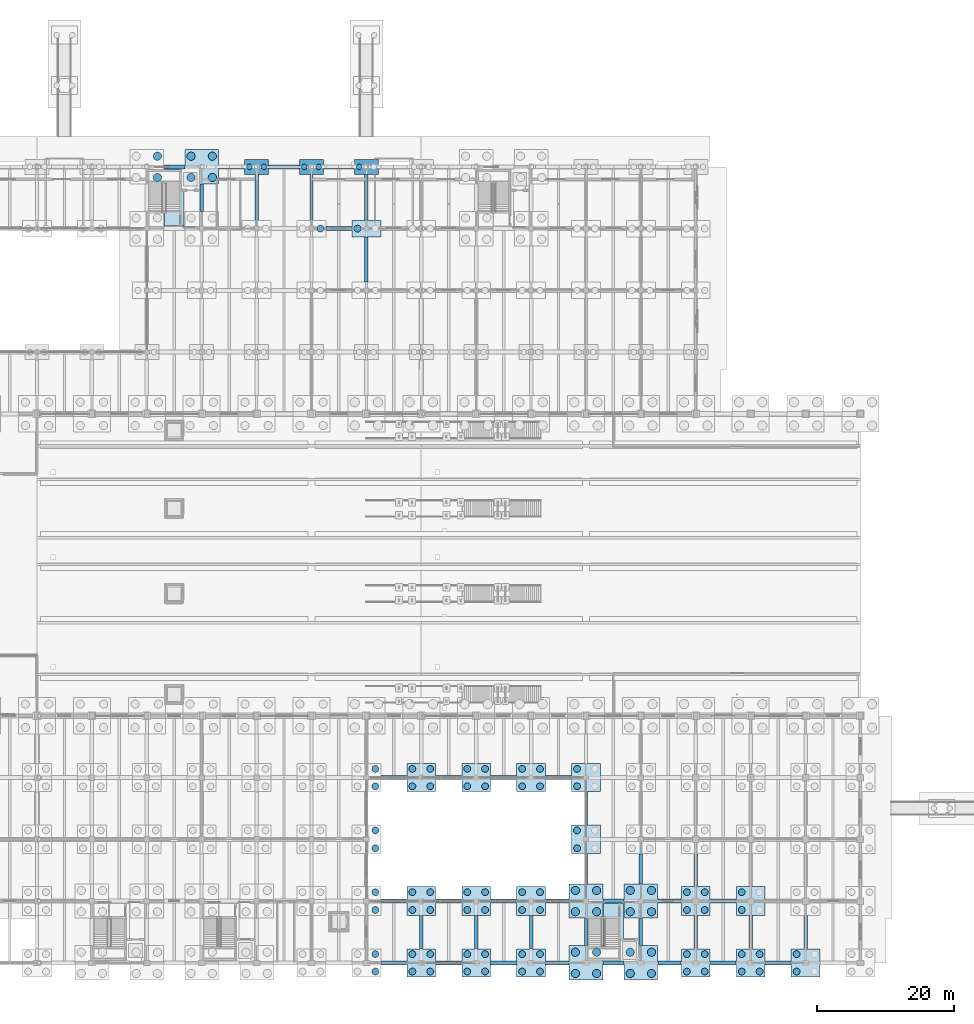
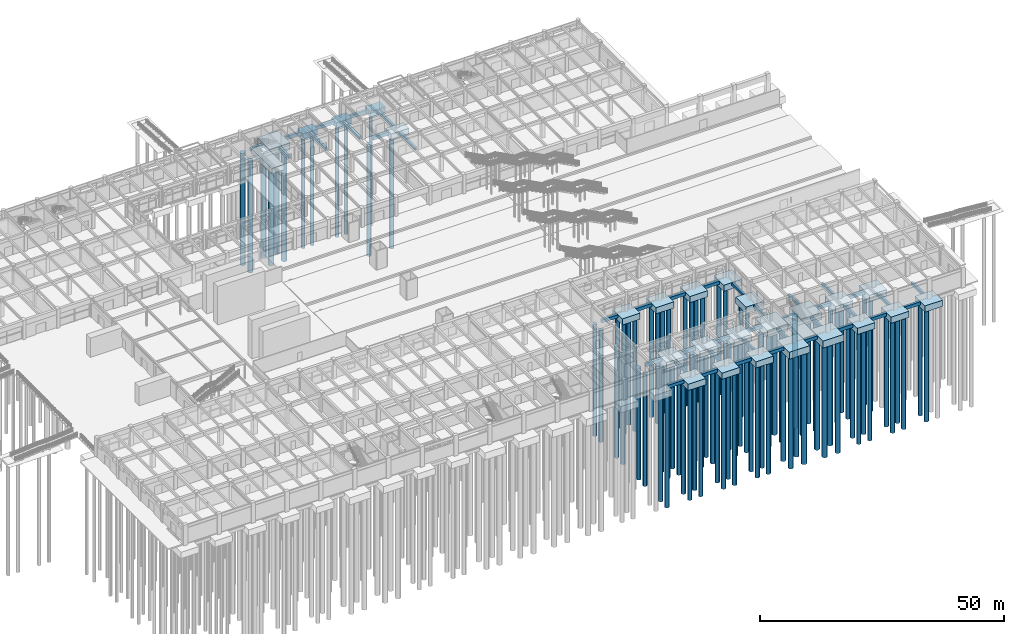
# One storey, part 7 of 147: 93 piles, 68 footings.
"""IFC4 building model written with IfcOpenShell, lengths in metres."""

from ifc_helpers import new_model, si_unit, direction, frame, origin, origin_2d, place, context, subcontext, project, spatial, rectangle, circle, extrude, material, layer, layer_set, material_profile, profile_set, type_object, element, save


model = new_model("IFC4")

# Units and contexts
model_context = context("Model", 3, precision=1e-05, world=origin(), true_north=direction((0.0, 1.0)))
body_context = subcontext(model_context, "Body", "Model", "MODEL_VIEW")
ifc_project = project(units=[si_unit("LENGTHUNIT", "METRE"), si_unit("AREAUNIT", "SQUARE_METRE"), si_unit("VOLUMEUNIT", "CUBIC_METRE"), si_unit("PLANEANGLEUNIT", "RADIAN"), si_unit("MASSUNIT", "GRAM", prefix="KILO")], contexts=[model_context])

# Site, building, storey
site_placement = place(None, origin())
site = spatial("IfcSite", under=ifc_project, at=site_placement, CompositionType="ELEMENT")
building_placement = place(site_placement, origin())
building = spatial("IfcBuilding", under=site, at=building_placement, Name="Varnabhumi Central Station", CompositionType="ELEMENT")
storey_placement = place(building_placement, origin())
storey = spatial("IfcBuildingStorey", under=building, at=storey_placement, Name="L00", CompositionType="ELEMENT", Elevation=0.0)

# Footings
ifc_material_1 = material(Name="Concrete M40", Category="concrete")
ifc_layer_1 = layer(ifc_material_1, 1.75, Name="Concrete M40", Category="concrete")
ifc_layer_set_1 = layer_set([ifc_layer_1], Name="Concrete M40")
footing_type_1 = type_object("IfcFootingType", Name="CAP-CORE-6S", PredefinedType="PILE_CAP", material=ifc_layer_set_1)
for number, where, z_axis, x_axis, name in (
    (1, (88.0, 116.0, -2.050048828125), (0.0, 0.0, 1.0), (1.0, 0.0, 0.0), "Pile Cap 12-P"),
    (2, (144.0, 0.0, -2.050048828125), (0.0, 0.0, 1.0), (1.0, 0.0, 0.0), "Pile Cap 19-A"),
    (3, (144.0, 9.0, -2.050048828125), (0.0, 0.0, 1.0), (1.0, 0.0, 0.0), "Pile Cap 19-B"),
    (4, (152.0, 0.0, -2.050048828125), (0.0, 0.0, 1.0), (1.0, 0.0, 0.0), "Pile Cap 20-A"),
    (5, (152.0, 9.0, -2.050048828125), (0.0, 0.0, 1.0), (1.0, 0.0, 0.0), "Pile Cap 20-B"),
):
    element("IfcFooting", number, at=place(storey_placement, frame(where, z_axis=z_axis, x_axis=x_axis)), inside=storey, type_object=footing_type_1, Name=name, PredefinedType="PILE_CAP", context=body_context, shape_type="SweptSolid", body=[
        extrude(rectangle(XDim=4.89990234375, YDim=5.0, at=origin_2d()), origin(), (0.0, 0.0, 1.0), 1.75),
    ])
ifc_layer_2 = layer(ifc_material_1, 1.5, Name="Concrete M40", Category="concrete")
ifc_layer_set_2 = layer_set([ifc_layer_2], Name="Concrete M40")
footing_type_2 = type_object("IfcFootingType", Name="CAP-NORTH-INT", PredefinedType="PILE_CAP", material=ifc_layer_set_2)
footing_1_placement = place(storey_placement, frame((112.0, 107.0, -1.800048828125), z_axis=(0.0, 0.0, 1.0), x_axis=(1.0, 0.0, 0.0)))
element("IfcFooting", 6, at=footing_1_placement, inside=storey, type_object=footing_type_2, Name="Pile Cap 15-N", PredefinedType="PILE_CAP", context=body_context, shape_type="SweptSolid", body=[
    extrude(rectangle(XDim=4.199951171875, YDim=2.39990234375, at=origin_2d()), origin(), (0.0, 0.0, 1.0), 1.5),
])
ifc_layer_3 = layer(ifc_material_1, 1.449951171875, Name="Concrete M40", Category="concrete")
ifc_layer_set_3 = layer_set([ifc_layer_3], Name="Concrete M40")
footing_type_3 = type_object("IfcFootingType", Name="CAP-NORTH-PER", PredefinedType="PILE_CAP", material=ifc_layer_set_3)
for number, where, z_axis, x_axis, name in (
    (7, (96.0, 116.0, -1.75), (0.0, 0.0, 1.0), (1.0, 0.0, 0.0), "Pile Cap 13-P"),
    (8, (104.0, 116.0, -1.75), (0.0, 0.0, 1.0), (1.0, 0.0, 0.0), "Pile Cap 14-P"),
    (9, (112.0, 116.0, -1.75), (0.0, 0.0, 1.0), (1.0, 0.0, 0.0), "Pile Cap 15-P"),
):
    element("IfcFooting", number, at=place(storey_placement, frame(where, z_axis=z_axis, x_axis=x_axis)), inside=storey, type_object=footing_type_3, Name=name, PredefinedType="PILE_CAP", context=body_context, shape_type="SweptSolid", body=[
        extrude(rectangle(XDim=3.5, YDim=2.199951171875, at=origin_2d()), origin(), (0.0, 0.0, 1.0), 1.449951171875),
    ])
ifc_layer_4 = layer(ifc_material_1, 1.60009765625, Name="Concrete M40", Category="concrete")
ifc_layer_set_4 = layer_set([ifc_layer_4], Name="Concrete M40")
footing_type_4 = type_object("IfcFootingType", Name="CAP-SOUTH-INT", PredefinedType="PILE_CAP", material=ifc_layer_set_4)
for number, where, z_axis, x_axis, name in (
    (10, (120.0, 9.0, -1.900146484375), (0.0, 0.0, 1.0), (1.0, 0.0, 0.0), "Pile Cap 16-B"),
    (11, (128.0, 9.0, -1.900146484375), (0.0, 0.0, 1.0), (1.0, 0.0, 0.0), "Pile Cap 17-B"),
    (12, (136.0, 9.0, -1.900146484375), (0.0, 0.0, 1.0), (1.0, 0.0, 0.0), "Pile Cap 18-B"),
    (13, (144.0, 18.0, -1.900146484375), (0.0, 0.0, 1.0), (1.0, 0.0, 0.0), "Pile Cap 19-C"),
    (14, (160.0, 9.0, -1.900146484375), (0.0, 0.0, 1.0), (1.0, 0.0, 0.0), "Pile Cap 21-B"),
    (15, (168.0, 9.0, -1.900146484375), (0.0, 0.0, 1.0), (1.0, 0.0, 0.0), "Pile Cap 22-B"),
):
    element("IfcFooting", number, at=place(storey_placement, frame(where, z_axis=z_axis, x_axis=x_axis)), inside=storey, type_object=footing_type_4, Name=name, PredefinedType="PILE_CAP", context=body_context, shape_type="SweptSolid", body=[
        extrude(rectangle(XDim=4.199951171875, YDim=4.199951171875, at=origin_2d()), origin(), (0.0, 0.0, 1.0), 1.60009765625),
    ])
ifc_layer_5 = layer(ifc_material_1, 1.550048828125, Name="Concrete M40", Category="concrete")
ifc_layer_set_5 = layer_set([ifc_layer_5], Name="Concrete M40")
footing_type_5 = type_object("IfcFootingType", Name="CAP-SOUTH-PER", PredefinedType="PILE_CAP", material=ifc_layer_set_5)
for number, where, z_axis, x_axis, name in (
    (16, (120.0, 0.0, -1.85009765625), (0.0, 0.0, 1.0), (1.0, 0.0, 0.0), "Pile Cap 16-A"),
    (17, (120.0, 27.0, -1.85009765625), (0.0, 0.0, 1.0), (1.0, 0.0, 0.0), "Pile Cap 16-D"),
    (18, (128.0, 0.0, -1.85009765625), (0.0, 0.0, 1.0), (1.0, 0.0, 0.0), "Pile Cap 17-A"),
    (19, (128.0, 27.0, -1.85009765625), (0.0, 0.0, 1.0), (1.0, 0.0, 0.0), "Pile Cap 17-D"),
    (20, (136.0, 0.0, -1.85009765625), (0.0, 0.0, 1.0), (1.0, 0.0, 0.0), "Pile Cap 18-A"),
    (21, (136.0, 27.0, -1.85009765625), (0.0, 0.0, 1.0), (1.0, 0.0, 0.0), "Pile Cap 18-D"),
    (22, (144.0, 27.0, -1.85009765625), (0.0, 0.0, 1.0), (1.0, 0.0, 0.0), "Pile Cap 19-D"),
    (23, (160.0, 0.0, -1.85009765625), (0.0, 0.0, 1.0), (1.0, 0.0, 0.0), "Pile Cap 21-A"),
    (24, (168.0, 0.0, -1.85009765625), (0.0, 0.0, 1.0), (1.0, 0.0, 0.0), "Pile Cap 22-A"),
    (25, (176.0, 0.0, -1.85009765625), (0.0, 0.0, 1.0), (1.0, 0.0, 0.0), "Pile Cap 23-A"),
):
    element("IfcFooting", number, at=place(storey_placement, frame(where, z_axis=z_axis, x_axis=x_axis)), inside=storey, type_object=footing_type_5, Name=name, PredefinedType="PILE_CAP", context=body_context, shape_type="SweptSolid", body=[
        extrude(rectangle(XDim=4.199951171875, YDim=4.10009765625, at=origin_2d()), origin(), (0.0, 0.0, 1.0), 1.550048828125),
    ])
footing_type_6 = type_object("IfcFootingType", Name="FTG-STRIP-PLAT", PredefinedType="STRIP_FOOTING", material=ifc_material_1)
for number, where, z_axis, x_axis, name in (
    (26, (84.0, 111.5, -1.60009765625), (0.0, 0.0, 1.0), (1.0, 0.0, 0.0), "Core Foundation Mat NC2"),
    (27, (148.0, 4.5, -1.60009765625), (0.0, 0.0, 1.0), (1.0, 0.0, 0.0), "Core Foundation Mat SC3"),
):
    element("IfcFooting", number, at=place(storey_placement, frame(where, z_axis=z_axis, x_axis=x_axis)), inside=storey, type_object=footing_type_6, Name=name, PredefinedType="STRIP_FOOTING", context=body_context, shape_type="SweptSolid", body=[
        extrude(rectangle(XDim=2.89990234375, YDim=8.300048828125, at=origin_2d()), origin(), (0.0, 0.0, 1.0), 1.300048828125),
    ])
footing_type_7 = type_object("IfcFootingType", Name="FTG-TIE-500x700", PredefinedType="FOOTING_BEAM", material=ifc_material_1)
footing_2_placement = place(storey_placement, frame((88.0, 111.5, -1.0), z_axis=(0.0, 0.0, 1.0), x_axis=(1.0, 0.0, 0.0)))
element("IfcFooting", 28, at=footing_2_placement, inside=storey, type_object=footing_type_7, Name="Plinth Tie Beam 12:N-P", PredefinedType="FOOTING_BEAM", context=body_context, shape_type="SweptSolid", body=[
    extrude(rectangle(XDim=0.5, YDim=3.9599609375, at=origin_2d()), origin(), (0.0, 0.0, 1.0), 0.699951171875),
])
for number, where, z_axis, x_axis, name in (
    (29, (96.0, 111.550048828125, -1.0), (0.0, 0.0, 1.0), (1.0, 0.0, 0.0), "Plinth Tie Beam 13:N-P"),
    (30, (104.0, 111.550048828125, -1.0), (0.0, 0.0, 1.0), (1.0, 0.0, 0.0), "Plinth Tie Beam 14:N-P"),
):
    element("IfcFooting", number, at=place(storey_placement, frame(where, z_axis=z_axis, x_axis=x_axis)), inside=storey, type_object=footing_type_7, Name=name, PredefinedType="FOOTING_BEAM", context=body_context, shape_type="SweptSolid", body=[
        extrude(rectangle(XDim=0.5, YDim=6.659912109375, at=origin_2d()), origin(), (0.0, 0.0, 1.0), 0.699951171875),
    ])
footing_3_placement = place(storey_placement, frame((112.0, 102.5, -1.0), z_axis=(0.0, 0.0, 1.0), x_axis=(1.0, 0.0, 0.0)))
element("IfcFooting", 31, at=footing_3_placement, inside=storey, type_object=footing_type_7, Name="Plinth Tie Beam 15:M-N", PredefinedType="FOOTING_BEAM", context=body_context, shape_type="SweptSolid", body=[
    extrude(rectangle(XDim=0.5, YDim=6.56005859375, at=origin_2d()), origin(), (0.0, 0.0, 1.0), 0.699951171875),
])
footing_4_placement = place(storey_placement, frame((112.0, 111.550048828125, -1.0), z_axis=(0.0, 0.0, 1.0), x_axis=(1.0, 0.0, 0.0)))
element("IfcFooting", 32, at=footing_4_placement, inside=storey, type_object=footing_type_7, Name="Plinth Tie Beam 15:N-P", PredefinedType="FOOTING_BEAM", context=body_context, shape_type="SweptSolid", body=[
    extrude(rectangle(XDim=0.5, YDim=6.659912109375, at=origin_2d()), origin(), (0.0, 0.0, 1.0), 0.699951171875),
])
for number, where, z_axis, x_axis, name in (
    (33, (120.0, 4.47509765625, -1.0), (0.0, 0.0, 1.0), (1.0, 0.0, 0.0), "Plinth Tie Beam 16:A-B"),
    (34, (128.0, 4.47509765625, -1.0), (0.0, 0.0, 1.0), (1.0, 0.0, 0.0), "Plinth Tie Beam 17:A-B"),
    (35, (136.0, 4.47509765625, -1.0), (0.0, 0.0, 1.0), (1.0, 0.0, 0.0), "Plinth Tie Beam 18:A-B"),
):
    element("IfcFooting", number, at=place(storey_placement, frame(where, z_axis=z_axis, x_axis=x_axis)), inside=storey, type_object=footing_type_7, Name=name, PredefinedType="FOOTING_BEAM", context=body_context, shape_type="SweptSolid", body=[
        extrude(rectangle(XDim=0.5, YDim=4.81005859375, at=origin_2d()), origin(), (0.0, 0.0, 1.0), 0.699951171875),
    ])
footing_5_placement = place(storey_placement, frame((144.0, 4.5, -1.0), z_axis=(0.0, 0.0, 1.0), x_axis=(1.0, 0.0, 0.0)))
element("IfcFooting", 36, at=footing_5_placement, inside=storey, type_object=footing_type_7, Name="Plinth Tie Beam 19:A-B", PredefinedType="FOOTING_BEAM", context=body_context, shape_type="SweptSolid", body=[
    extrude(rectangle(XDim=0.5, YDim=3.9599609375, at=origin_2d()), origin(), (0.0, 0.0, 1.0), 0.699951171875),
])
footing_6_placement = place(storey_placement, frame((144.0, 13.699951171875, -1.0), z_axis=(0.0, 0.0, 1.0), x_axis=(1.0, 0.0, 0.0)))
element("IfcFooting", 37, at=footing_6_placement, inside=storey, type_object=footing_type_7, Name="Plinth Tie Beam 19:B-C", PredefinedType="FOOTING_BEAM", context=body_context, shape_type="SweptSolid", body=[
    extrude(rectangle(XDim=0.5, YDim=4.360107421875, at=origin_2d()), origin(), (0.0, 0.0, 1.0), 0.699951171875),
])
footing_7_placement = place(storey_placement, frame((144.0, 22.52490234375, -1.0), z_axis=(0.0, 0.0, 1.0), x_axis=(1.0, 0.0, 0.0)))
element("IfcFooting", 38, at=footing_7_placement, inside=storey, type_object=footing_type_7, Name="Plinth Tie Beam 19:C-D", PredefinedType="FOOTING_BEAM", context=body_context, shape_type="SweptSolid", body=[
    extrude(rectangle(XDim=0.5, YDim=4.81005859375, at=origin_2d()), origin(), (0.0, 0.0, 1.0), 0.699951171875),
])
footing_8_placement = place(storey_placement, frame((152.0, 4.5, -1.0), z_axis=(0.0, 0.0, 1.0), x_axis=(1.0, 0.0, 0.0)))
element("IfcFooting", 39, at=footing_8_placement, inside=storey, type_object=footing_type_7, Name="Plinth Tie Beam 20:A-B", PredefinedType="FOOTING_BEAM", context=body_context, shape_type="SweptSolid", body=[
    extrude(rectangle(XDim=0.5, YDim=3.9599609375, at=origin_2d()), origin(), (0.0, 0.0, 1.0), 0.699951171875),
])
footing_9_placement = place(storey_placement, frame((152.0, 13.699951171875, -1.0), z_axis=(0.0, 0.0, 1.0), x_axis=(1.0, 0.0, 0.0)))
element("IfcFooting", 40, at=footing_9_placement, inside=storey, type_object=footing_type_7, Name="Plinth Tie Beam 20:B-C", PredefinedType="FOOTING_BEAM", context=body_context, shape_type="SweptSolid", body=[
    extrude(rectangle(XDim=0.5, YDim=4.360107421875, at=origin_2d()), origin(), (0.0, 0.0, 1.0), 0.699951171875),
])
footing_10_placement = place(storey_placement, frame((160.0, 4.47509765625, -1.0), z_axis=(0.0, 0.0, 1.0), x_axis=(1.0, 0.0, 0.0)))
element("IfcFooting", 41, at=footing_10_placement, inside=storey, type_object=footing_type_7, Name="Plinth Tie Beam 21:A-B", PredefinedType="FOOTING_BEAM", context=body_context, shape_type="SweptSolid", body=[
    extrude(rectangle(XDim=0.5, YDim=4.81005859375, at=origin_2d()), origin(), (0.0, 0.0, 1.0), 0.699951171875),
])
footing_11_placement = place(storey_placement, frame((160.0, 13.5, -1.0), z_axis=(0.0, 0.0, 1.0), x_axis=(1.0, 0.0, 0.0)))
element("IfcFooting", 42, at=footing_11_placement, inside=storey, type_object=footing_type_7, Name="Plinth Tie Beam 21:B-C", PredefinedType="FOOTING_BEAM", context=body_context, shape_type="SweptSolid", body=[
    extrude(rectangle(XDim=0.5, YDim=4.760009765625, at=origin_2d()), origin(), (0.0, 0.0, 1.0), 0.699951171875),
])
for number, where, z_axis, x_axis, name in (
    (43, (168.0, 4.47509765625, -1.0), (0.0, 0.0, 1.0), (1.0, 0.0, 0.0), "Plinth Tie Beam 22:A-B"),
    (44, (176.0, 4.47509765625, -1.0), (0.0, 0.0, 1.0), (1.0, 0.0, 0.0), "Plinth Tie Beam 23:A-B"),
):
    element("IfcFooting", number, at=place(storey_placement, frame(where, z_axis=z_axis, x_axis=x_axis)), inside=storey, type_object=footing_type_7, Name=name, PredefinedType="FOOTING_BEAM", context=body_context, shape_type="SweptSolid", body=[
        extrude(rectangle(XDim=0.5, YDim=4.81005859375, at=origin_2d()), origin(), (0.0, 0.0, 1.0), 0.699951171875),
    ])
footing_type_8 = type_object("IfcFootingType", Name="FTG-TIE-600x800", PredefinedType="FOOTING_BEAM", material=ifc_material_1)
footing_12_placement = place(storey_placement, frame((84.0, 116.0, -1.10009765625), z_axis=(0.0, 0.0, 1.0), x_axis=(1.0, 0.0, 0.0)))
element("IfcFooting", 45, at=footing_12_placement, inside=storey, type_object=footing_type_8, Name="Plinth Tie Beam P:11-12", PredefinedType="FOOTING_BEAM", context=body_context, shape_type="SweptSolid", body=[
    extrude(rectangle(XDim=3.06005859375, YDim=0.60009765625, at=origin_2d()), origin(), (0.0, 0.0, 1.0), 0.800048828125),
])
footing_13_placement = place(storey_placement, frame((92.35009765625, 116.0, -1.10009765625), z_axis=(0.0, 0.0, 1.0), x_axis=(1.0, 0.0, 0.0)))
element("IfcFooting", 46, at=footing_13_placement, inside=storey, type_object=footing_type_8, Name="Plinth Tie Beam P:12-13", PredefinedType="FOOTING_BEAM", context=body_context, shape_type="SweptSolid", body=[
    extrude(rectangle(XDim=3.760009765625, YDim=0.60009765625, at=origin_2d()), origin(), (0.0, 0.0, 1.0), 0.800048828125),
])
footing_14_placement = place(storey_placement, frame((100.0, 116.0, -1.10009765625), z_axis=(0.0, 0.0, 1.0), x_axis=(1.0, 0.0, 0.0)))
element("IfcFooting", 47, at=footing_14_placement, inside=storey, type_object=footing_type_8, Name="Plinth Tie Beam P:13-14", PredefinedType="FOOTING_BEAM", context=body_context, shape_type="SweptSolid", body=[
    extrude(rectangle(XDim=4.4599609375, YDim=0.60009765625, at=origin_2d()), origin(), (0.0, 0.0, 1.0), 0.800048828125),
])
footing_15_placement = place(storey_placement, frame((108.0, 107.0, -1.10009765625), z_axis=(0.0, 0.0, 1.0), x_axis=(1.0, 0.0, 0.0)))
element("IfcFooting", 48, at=footing_15_placement, inside=storey, type_object=footing_type_8, Name="Plinth Tie Beam N:14-15", PredefinedType="FOOTING_BEAM", context=body_context, shape_type="SweptSolid", body=[
    extrude(rectangle(XDim=3.760009765625, YDim=0.60009765625, at=origin_2d()), origin(), (0.0, 0.0, 1.0), 0.800048828125),
])
footing_16_placement = place(storey_placement, frame((108.0, 116.0, -1.10009765625), z_axis=(0.0, 0.0, 1.0), x_axis=(1.0, 0.0, 0.0)))
element("IfcFooting", 49, at=footing_16_placement, inside=storey, type_object=footing_type_8, Name="Plinth Tie Beam P:14-15", PredefinedType="FOOTING_BEAM", context=body_context, shape_type="SweptSolid", body=[
    extrude(rectangle(XDim=4.4599609375, YDim=0.60009765625, at=origin_2d()), origin(), (0.0, 0.0, 1.0), 0.800048828125),
])
for number, where, z_axis, x_axis, name in (
    (50, (116.0, 0.0, -1.10009765625), (0.0, 0.0, 1.0), (1.0, 0.0, 0.0), "Plinth Tie Beam A:15-16"),
    (51, (116.0, 9.0, -1.10009765625), (0.0, 0.0, 1.0), (1.0, 0.0, 0.0), "Plinth Tie Beam B:15-16"),
    (52, (116.0, 27.0, -1.10009765625), (0.0, 0.0, 1.0), (1.0, 0.0, 0.0), "Plinth Tie Beam D:15-16"),
    (53, (124.0, 0.0, -1.10009765625), (0.0, 0.0, 1.0), (1.0, 0.0, 0.0), "Plinth Tie Beam A:16-17"),
    (54, (124.0, 9.0, -1.10009765625), (0.0, 0.0, 1.0), (1.0, 0.0, 0.0), "Plinth Tie Beam B:16-17"),
    (55, (124.0, 27.0, -1.10009765625), (0.0, 0.0, 1.0), (1.0, 0.0, 0.0), "Plinth Tie Beam D:16-17"),
    (56, (132.0, 0.0, -1.10009765625), (0.0, 0.0, 1.0), (1.0, 0.0, 0.0), "Plinth Tie Beam A:17-18"),
    (57, (132.0, 9.0, -1.10009765625), (0.0, 0.0, 1.0), (1.0, 0.0, 0.0), "Plinth Tie Beam B:17-18"),
    (58, (132.0, 27.0, -1.10009765625), (0.0, 0.0, 1.0), (1.0, 0.0, 0.0), "Plinth Tie Beam D:17-18"),
):
    element("IfcFooting", number, at=place(storey_placement, frame(where, z_axis=z_axis, x_axis=x_axis)), inside=storey, type_object=footing_type_8, Name=name, PredefinedType="FOOTING_BEAM", context=body_context, shape_type="SweptSolid", body=[
        extrude(rectangle(XDim=3.760009765625, YDim=0.60009765625, at=origin_2d()), origin(), (0.0, 0.0, 1.0), 0.800048828125),
    ])
for number, where, z_axis, x_axis, name in (
    (59, (139.824951171875, 0.0, -1.10009765625), (0.0, 0.0, 1.0), (1.0, 0.0, 0.0), "Plinth Tie Beam A:18-19"),
    (60, (139.824951171875, 9.0, -1.10009765625), (0.0, 0.0, 1.0), (1.0, 0.0, 0.0), "Plinth Tie Beam B:18-19"),
):
    element("IfcFooting", number, at=place(storey_placement, frame(where, z_axis=z_axis, x_axis=x_axis)), inside=storey, type_object=footing_type_8, Name=name, PredefinedType="FOOTING_BEAM", context=body_context, shape_type="SweptSolid", body=[
        extrude(rectangle(XDim=3.409912109375, YDim=0.60009765625, at=origin_2d()), origin(), (0.0, 0.0, 1.0), 0.800048828125),
    ])
footing_17_placement = place(storey_placement, frame((140.0, 27.0, -1.10009765625), z_axis=(0.0, 0.0, 1.0), x_axis=(1.0, 0.0, 0.0)))
element("IfcFooting", 61, at=footing_17_placement, inside=storey, type_object=footing_type_8, Name="Plinth Tie Beam D:18-19", PredefinedType="FOOTING_BEAM", context=body_context, shape_type="SweptSolid", body=[
    extrude(rectangle(XDim=3.760009765625, YDim=0.60009765625, at=origin_2d()), origin(), (0.0, 0.0, 1.0), 0.800048828125),
])
for number, where, z_axis, x_axis, name in (
    (62, (148.0, 0.0, -1.10009765625), (0.0, 0.0, 1.0), (1.0, 0.0, 0.0), "Plinth Tie Beam A:19-20"),
    (63, (148.0, 9.0, -1.10009765625), (0.0, 0.0, 1.0), (1.0, 0.0, 0.0), "Plinth Tie Beam B:19-20"),
):
    element("IfcFooting", number, at=place(storey_placement, frame(where, z_axis=z_axis, x_axis=x_axis)), inside=storey, type_object=footing_type_8, Name=name, PredefinedType="FOOTING_BEAM", context=body_context, shape_type="SweptSolid", body=[
        extrude(rectangle(XDim=3.06005859375, YDim=0.60009765625, at=origin_2d()), origin(), (0.0, 0.0, 1.0), 0.800048828125),
    ])
for number, where, z_axis, x_axis, name in (
    (64, (156.175048828125, 0.0, -1.10009765625), (0.0, 0.0, 1.0), (1.0, 0.0, 0.0), "Plinth Tie Beam A:20-21"),
    (65, (156.175048828125, 9.0, -1.10009765625), (0.0, 0.0, 1.0), (1.0, 0.0, 0.0), "Plinth Tie Beam B:20-21"),
):
    element("IfcFooting", number, at=place(storey_placement, frame(where, z_axis=z_axis, x_axis=x_axis)), inside=storey, type_object=footing_type_8, Name=name, PredefinedType="FOOTING_BEAM", context=body_context, shape_type="SweptSolid", body=[
        extrude(rectangle(XDim=3.409912109375, YDim=0.60009765625, at=origin_2d()), origin(), (0.0, 0.0, 1.0), 0.800048828125),
    ])
for number, where, z_axis, x_axis, name in (
    (66, (164.0, 0.0, -1.10009765625), (0.0, 0.0, 1.0), (1.0, 0.0, 0.0), "Plinth Tie Beam A:21-22"),
    (67, (164.0, 9.0, -1.10009765625), (0.0, 0.0, 1.0), (1.0, 0.0, 0.0), "Plinth Tie Beam B:21-22"),
    (68, (172.0, 0.0, -1.10009765625), (0.0, 0.0, 1.0), (1.0, 0.0, 0.0), "Plinth Tie Beam A:22-23"),
):
    element("IfcFooting", number, at=place(storey_placement, frame(where, z_axis=z_axis, x_axis=x_axis)), inside=storey, type_object=footing_type_8, Name=name, PredefinedType="FOOTING_BEAM", context=body_context, shape_type="SweptSolid", body=[
        extrude(rectangle(XDim=3.760009765625, YDim=0.60009765625, at=origin_2d()), origin(), (0.0, 0.0, 1.0), 0.800048828125),
    ])

# Piles
ifc_material_2 = material(Name="Concrete M35", Category="concrete")
ifc_material_profile_1 = material_profile(ifc_material_2, circle(Radius=0.5, at=origin_2d()), Name="Concrete M35", Category="concrete")
ifc_profile_set_1 = profile_set([ifc_material_profile_1], Name="Concrete M35")
pile_type_1 = type_object("IfcPileType", Name="PILE-D1000", PredefinedType="BORED", material=ifc_profile_set_1)
for number, where, z_axis, x_axis, name in (
    (69, (105.300048828125, 107.0, -1.699951171875), (0.0, 0.0, -1.0), (1.0, 0.0, 0.0), "Bored Pile 14-N-P2"),
    (70, (113.300048828125, -1.27001953125, -1.75), (0.0, 0.0, -1.0), (1.0, 0.0, 0.0), "Bored Pile 15-A-P2"),
    (71, (113.300048828125, 1.27001953125, -1.75), (0.0, 0.0, -1.0), (1.0, 0.0, 0.0), "Bored Pile 15-A-P4"),
    (72, (113.300048828125, 7.699951171875, -1.800048828125), (0.0, 0.0, -1.0), (1.0, 0.0, 0.0), "Bored Pile 15-B-P2"),
    (73, (113.300048828125, 10.300048828125, -1.800048828125), (0.0, 0.0, -1.0), (1.0, 0.0, 0.0), "Bored Pile 15-B-P4"),
    (74, (113.300048828125, 16.699951171875, -1.800048828125), (0.0, 0.0, -1.0), (1.0, 0.0, 0.0), "Bored Pile 15-C-P2"),
    (75, (113.300048828125, 19.300048828125, -1.800048828125), (0.0, 0.0, -1.0), (1.0, 0.0, 0.0), "Bored Pile 15-C-P4"),
    (76, (113.300048828125, 25.72998046875, -1.75), (0.0, 0.0, -1.0), (1.0, 0.0, 0.0), "Bored Pile 15-D-P2"),
    (77, (113.300048828125, 28.27001953125, -1.75), (0.0, 0.0, -1.0), (1.0, 0.0, 0.0), "Bored Pile 15-D-P4"),
    (78, (110.699951171875, 107.0, -1.699951171875), (0.0, 0.0, -1.0), (1.0, 0.0, 0.0), "Bored Pile 15-N-P1"),
    (79, (118.699951171875, -1.27001953125, -1.75), (0.0, 0.0, -1.0), (1.0, 0.0, 0.0), "Bored Pile 16-A-P1"),
    (80, (121.300048828125, -1.27001953125, -1.75), (0.0, 0.0, -1.0), (1.0, 0.0, 0.0), "Bored Pile 16-A-P2"),
    (81, (118.699951171875, 1.27001953125, -1.75), (0.0, 0.0, -1.0), (1.0, 0.0, 0.0), "Bored Pile 16-A-P3"),
    (82, (121.300048828125, 1.27001953125, -1.75), (0.0, 0.0, -1.0), (1.0, 0.0, 0.0), "Bored Pile 16-A-P4"),
    (83, (118.699951171875, 7.699951171875, -1.800048828125), (0.0, 0.0, -1.0), (1.0, 0.0, 0.0), "Bored Pile 16-B-P1"),
    (84, (121.300048828125, 7.699951171875, -1.800048828125), (0.0, 0.0, -1.0), (1.0, 0.0, 0.0), "Bored Pile 16-B-P2"),
    (85, (118.699951171875, 10.300048828125, -1.800048828125), (0.0, 0.0, -1.0), (1.0, 0.0, 0.0), "Bored Pile 16-B-P3"),
    (86, (121.300048828125, 10.300048828125, -1.800048828125), (0.0, 0.0, -1.0), (1.0, 0.0, 0.0), "Bored Pile 16-B-P4"),
    (87, (118.699951171875, 25.72998046875, -1.75), (0.0, 0.0, -1.0), (1.0, 0.0, 0.0), "Bored Pile 16-D-P1"),
    (88, (121.300048828125, 25.72998046875, -1.75), (0.0, 0.0, -1.0), (1.0, 0.0, 0.0), "Bored Pile 16-D-P2"),
    (89, (118.699951171875, 28.27001953125, -1.75), (0.0, 0.0, -1.0), (1.0, 0.0, 0.0), "Bored Pile 16-D-P3"),
    (90, (121.300048828125, 28.27001953125, -1.75), (0.0, 0.0, -1.0), (1.0, 0.0, 0.0), "Bored Pile 16-D-P4"),
    (91, (126.699951171875, -1.27001953125, -1.75), (0.0, 0.0, -1.0), (1.0, 0.0, 0.0), "Bored Pile 17-A-P1"),
    (92, (129.300048828125, -1.27001953125, -1.75), (0.0, 0.0, -1.0), (1.0, 0.0, 0.0), "Bored Pile 17-A-P2"),
    (93, (126.699951171875, 1.27001953125, -1.75), (0.0, 0.0, -1.0), (1.0, 0.0, 0.0), "Bored Pile 17-A-P3"),
    (94, (129.300048828125, 1.27001953125, -1.75), (0.0, 0.0, -1.0), (1.0, 0.0, 0.0), "Bored Pile 17-A-P4"),
    (95, (126.699951171875, 7.699951171875, -1.800048828125), (0.0, 0.0, -1.0), (1.0, 0.0, 0.0), "Bored Pile 17-B-P1"),
    (96, (129.300048828125, 7.699951171875, -1.800048828125), (0.0, 0.0, -1.0), (1.0, 0.0, 0.0), "Bored Pile 17-B-P2"),
    (97, (126.699951171875, 10.300048828125, -1.800048828125), (0.0, 0.0, -1.0), (1.0, 0.0, 0.0), "Bored Pile 17-B-P3"),
    (98, (129.300048828125, 10.300048828125, -1.800048828125), (0.0, 0.0, -1.0), (1.0, 0.0, 0.0), "Bored Pile 17-B-P4"),
    (99, (126.699951171875, 25.72998046875, -1.75), (0.0, 0.0, -1.0), (1.0, 0.0, 0.0), "Bored Pile 17-D-P1"),
    (100, (129.300048828125, 25.72998046875, -1.75), (0.0, 0.0, -1.0), (1.0, 0.0, 0.0), "Bored Pile 17-D-P2"),
    (101, (126.699951171875, 28.27001953125, -1.75), (0.0, 0.0, -1.0), (1.0, 0.0, 0.0), "Bored Pile 17-D-P3"),
    (102, (129.300048828125, 28.27001953125, -1.75), (0.0, 0.0, -1.0), (1.0, 0.0, 0.0), "Bored Pile 17-D-P4"),
    (103, (134.699951171875, -1.27001953125, -1.75), (0.0, 0.0, -1.0), (1.0, 0.0, 0.0), "Bored Pile 18-A-P1"),
    (104, (137.300048828125, -1.27001953125, -1.75), (0.0, 0.0, -1.0), (1.0, 0.0, 0.0), "Bored Pile 18-A-P2"),
    (105, (134.699951171875, 1.27001953125, -1.75), (0.0, 0.0, -1.0), (1.0, 0.0, 0.0), "Bored Pile 18-A-P3"),
    (106, (137.300048828125, 1.27001953125, -1.75), (0.0, 0.0, -1.0), (1.0, 0.0, 0.0), "Bored Pile 18-A-P4"),
    (107, (134.699951171875, 7.699951171875, -1.800048828125), (0.0, 0.0, -1.0), (1.0, 0.0, 0.0), "Bored Pile 18-B-P1"),
    (108, (137.300048828125, 7.699951171875, -1.800048828125), (0.0, 0.0, -1.0), (1.0, 0.0, 0.0), "Bored Pile 18-B-P2"),
    (109, (134.699951171875, 10.300048828125, -1.800048828125), (0.0, 0.0, -1.0), (1.0, 0.0, 0.0), "Bored Pile 18-B-P3"),
    (110, (137.300048828125, 10.300048828125, -1.800048828125), (0.0, 0.0, -1.0), (1.0, 0.0, 0.0), "Bored Pile 18-B-P4"),
    (111, (134.699951171875, 25.72998046875, -1.75), (0.0, 0.0, -1.0), (1.0, 0.0, 0.0), "Bored Pile 18-D-P1"),
    (112, (137.300048828125, 25.72998046875, -1.75), (0.0, 0.0, -1.0), (1.0, 0.0, 0.0), "Bored Pile 18-D-P2"),
    (113, (134.699951171875, 28.27001953125, -1.75), (0.0, 0.0, -1.0), (1.0, 0.0, 0.0), "Bored Pile 18-D-P3"),
    (114, (137.300048828125, 28.27001953125, -1.75), (0.0, 0.0, -1.0), (1.0, 0.0, 0.0), "Bored Pile 18-D-P4"),
    (115, (142.699951171875, 16.699951171875, -1.800048828125), (0.0, 0.0, -1.0), (1.0, 0.0, 0.0), "Bored Pile 19-C-P1"),
    (116, (142.699951171875, 19.300048828125, -1.800048828125), (0.0, 0.0, -1.0), (1.0, 0.0, 0.0), "Bored Pile 19-C-P3"),
    (117, (142.699951171875, 25.72998046875, -1.75), (0.0, 0.0, -1.0), (1.0, 0.0, 0.0), "Bored Pile 19-D-P1"),
    (118, (142.699951171875, 28.27001953125, -1.75), (0.0, 0.0, -1.0), (1.0, 0.0, 0.0), "Bored Pile 19-D-P3"),
    (119, (158.699951171875, -1.27001953125, -1.75), (0.0, 0.0, -1.0), (1.0, 0.0, 0.0), "Bored Pile 21-A-P1"),
    (120, (161.300048828125, -1.27001953125, -1.75), (0.0, 0.0, -1.0), (1.0, 0.0, 0.0), "Bored Pile 21-A-P2"),
    (121, (158.699951171875, 1.27001953125, -1.75), (0.0, 0.0, -1.0), (1.0, 0.0, 0.0), "Bored Pile 21-A-P3"),
    (122, (161.300048828125, 1.27001953125, -1.75), (0.0, 0.0, -1.0), (1.0, 0.0, 0.0), "Bored Pile 21-A-P4"),
    (123, (158.699951171875, 7.699951171875, -1.800048828125), (0.0, 0.0, -1.0), (1.0, 0.0, 0.0), "Bored Pile 21-B-P1"),
    (124, (161.300048828125, 7.699951171875, -1.800048828125), (0.0, 0.0, -1.0), (1.0, 0.0, 0.0), "Bored Pile 21-B-P2"),
    (125, (158.699951171875, 10.300048828125, -1.800048828125), (0.0, 0.0, -1.0), (1.0, 0.0, 0.0), "Bored Pile 21-B-P3"),
    (126, (161.300048828125, 10.300048828125, -1.800048828125), (0.0, 0.0, -1.0), (1.0, 0.0, 0.0), "Bored Pile 21-B-P4"),
    (127, (166.699951171875, -1.27001953125, -1.75), (0.0, 0.0, -1.0), (1.0, 0.0, 0.0), "Bored Pile 22-A-P1"),
    (128, (169.300048828125, -1.27001953125, -1.75), (0.0, 0.0, -1.0), (1.0, 0.0, 0.0), "Bored Pile 22-A-P2"),
    (129, (166.699951171875, 1.27001953125, -1.75), (0.0, 0.0, -1.0), (1.0, 0.0, 0.0), "Bored Pile 22-A-P3"),
    (130, (169.300048828125, 1.27001953125, -1.75), (0.0, 0.0, -1.0), (1.0, 0.0, 0.0), "Bored Pile 22-A-P4"),
    (131, (166.699951171875, 7.699951171875, -1.800048828125), (0.0, 0.0, -1.0), (1.0, 0.0, 0.0), "Bored Pile 22-B-P1"),
    (132, (166.699951171875, 10.300048828125, -1.800048828125), (0.0, 0.0, -1.0), (1.0, 0.0, 0.0), "Bored Pile 22-B-P3"),
    (133, (174.699951171875, -1.27001953125, -1.75), (0.0, 0.0, -1.0), (1.0, 0.0, 0.0), "Bored Pile 23-A-P1"),
    (134, (174.699951171875, 1.27001953125, -1.75), (0.0, 0.0, -1.0), (1.0, 0.0, 0.0), "Bored Pile 23-A-P3"),
):
    element("IfcPile", number, at=place(storey_placement, frame(where, z_axis=z_axis, x_axis=x_axis)), inside=storey, type_object=pile_type_1, Name=name, PredefinedType="BORED", context=body_context, shape_type="SweptSolid", body=[
        extrude(circle(Radius=0.5, at=origin_2d()), origin(), (0.0, 0.0, 1.0), 28.0),
    ])
ifc_material_profile_2 = material_profile(ifc_material_2, circle(Radius=0.60009765625, at=origin_2d()), Name="Concrete M35", Category="concrete")
ifc_profile_set_2 = profile_set([ifc_material_profile_2], Name="Concrete M35")
pile_type_2 = type_object("IfcPileType", Name="PILE-D1200", PredefinedType="BORED", material=ifc_profile_set_2)
for number, where, z_axis, x_axis, name in (
    (135, (81.550048828125, 114.449951171875, -1.949951171875), (0.0, 0.0, -1.0), (1.0, 0.0, 0.0), "Bored Pile 11-P-P2"),
    (136, (81.550048828125, 117.550048828125, -1.949951171875), (0.0, 0.0, -1.0), (1.0, 0.0, 0.0), "Bored Pile 11-P-P4"),
    (137, (86.449951171875, 114.449951171875, -1.949951171875), (0.0, 0.0, -1.0), (1.0, 0.0, 0.0), "Bored Pile 12-P-P1"),
    (138, (89.550048828125, 114.449951171875, -1.949951171875), (0.0, 0.0, -1.0), (1.0, 0.0, 0.0), "Bored Pile 12-P-P2"),
    (139, (86.449951171875, 117.550048828125, -1.949951171875), (0.0, 0.0, -1.0), (1.0, 0.0, 0.0), "Bored Pile 12-P-P3"),
    (140, (89.550048828125, 117.550048828125, -1.949951171875), (0.0, 0.0, -1.0), (1.0, 0.0, 0.0), "Bored Pile 12-P-P4"),
    (141, (142.449951171875, -1.550048828125, -1.949951171875), (0.0, 0.0, -1.0), (1.0, 0.0, 0.0), "Bored Pile 19-A-P1"),
    (142, (145.550048828125, -1.550048828125, -1.949951171875), (0.0, 0.0, -1.0), (1.0, 0.0, 0.0), "Bored Pile 19-A-P2"),
    (143, (142.449951171875, 1.550048828125, -1.949951171875), (0.0, 0.0, -1.0), (1.0, 0.0, 0.0), "Bored Pile 19-A-P3"),
    (144, (145.550048828125, 1.550048828125, -1.949951171875), (0.0, 0.0, -1.0), (1.0, 0.0, 0.0), "Bored Pile 19-A-P4"),
    (145, (142.449951171875, 7.449951171875, -1.949951171875), (0.0, 0.0, -1.0), (1.0, 0.0, 0.0), "Bored Pile 19-B-P1"),
    (146, (145.550048828125, 7.449951171875, -1.949951171875), (0.0, 0.0, -1.0), (1.0, 0.0, 0.0), "Bored Pile 19-B-P2"),
    (147, (142.449951171875, 10.550048828125, -1.949951171875), (0.0, 0.0, -1.0), (1.0, 0.0, 0.0), "Bored Pile 19-B-P3"),
    (148, (145.550048828125, 10.550048828125, -1.949951171875), (0.0, 0.0, -1.0), (1.0, 0.0, 0.0), "Bored Pile 19-B-P4"),
    (149, (150.449951171875, -1.550048828125, -1.949951171875), (0.0, 0.0, -1.0), (1.0, 0.0, 0.0), "Bored Pile 20-A-P1"),
    (150, (153.550048828125, -1.550048828125, -1.949951171875), (0.0, 0.0, -1.0), (1.0, 0.0, 0.0), "Bored Pile 20-A-P2"),
    (151, (150.449951171875, 1.550048828125, -1.949951171875), (0.0, 0.0, -1.0), (1.0, 0.0, 0.0), "Bored Pile 20-A-P3"),
    (152, (153.550048828125, 1.550048828125, -1.949951171875), (0.0, 0.0, -1.0), (1.0, 0.0, 0.0), "Bored Pile 20-A-P4"),
    (153, (150.449951171875, 7.449951171875, -1.949951171875), (0.0, 0.0, -1.0), (1.0, 0.0, 0.0), "Bored Pile 20-B-P1"),
    (154, (153.550048828125, 7.449951171875, -1.949951171875), (0.0, 0.0, -1.0), (1.0, 0.0, 0.0), "Bored Pile 20-B-P2"),
    (155, (150.449951171875, 10.550048828125, -1.949951171875), (0.0, 0.0, -1.0), (1.0, 0.0, 0.0), "Bored Pile 20-B-P3"),
    (156, (153.550048828125, 10.550048828125, -1.949951171875), (0.0, 0.0, -1.0), (1.0, 0.0, 0.0), "Bored Pile 20-B-P4"),
):
    element("IfcPile", number, at=place(storey_placement, frame(where, z_axis=z_axis, x_axis=x_axis)), inside=storey, type_object=pile_type_2, Name=name, PredefinedType="BORED", context=body_context, shape_type="SweptSolid", body=[
        extrude(circle(Radius=0.60009765625, at=origin_2d()), origin(), (0.0, 0.0, 1.0), 28.0),
    ])
ifc_material_profile_3 = material_profile(ifc_material_2, circle(Radius=0.39990234375, at=origin_2d()), Name="Concrete M35", Category="concrete")
ifc_profile_set_3 = profile_set([ifc_material_profile_3], Name="Concrete M35")
pile_type_3 = type_object("IfcPileType", Name="PILE-D800", PredefinedType="BORED", material=ifc_profile_set_3)
for number, where, z_axis, x_axis, name in (
    (157, (94.949951171875, 116.0, -1.64990234375), (0.0, 0.0, -1.0), (1.0, 0.0, 0.0), "Bored Pile 13-P-P1"),
    (158, (97.050048828125, 116.0, -1.64990234375), (0.0, 0.0, -1.0), (1.0, 0.0, 0.0), "Bored Pile 13-P-P2"),
    (159, (102.949951171875, 116.0, -1.64990234375), (0.0, 0.0, -1.0), (1.0, 0.0, 0.0), "Bored Pile 14-P-P1"),
    (160, (105.050048828125, 116.0, -1.64990234375), (0.0, 0.0, -1.0), (1.0, 0.0, 0.0), "Bored Pile 14-P-P2"),
    (161, (110.949951171875, 116.0, -1.64990234375), (0.0, 0.0, -1.0), (1.0, 0.0, 0.0), "Bored Pile 15-P-P1"),
):
    element("IfcPile", number, at=place(storey_placement, frame(where, z_axis=z_axis, x_axis=x_axis)), inside=storey, type_object=pile_type_3, Name=name, PredefinedType="BORED", context=body_context, shape_type="SweptSolid", body=[
        extrude(circle(Radius=0.39990234375, at=origin_2d()), origin(), (0.0, 0.0, 1.0), 28.0),
    ])

save(model, "model.ifc")
